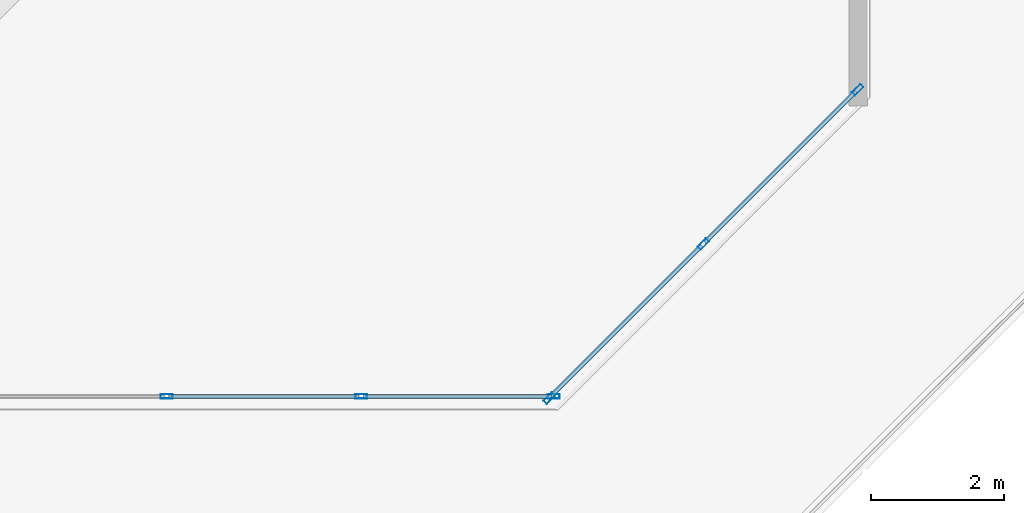
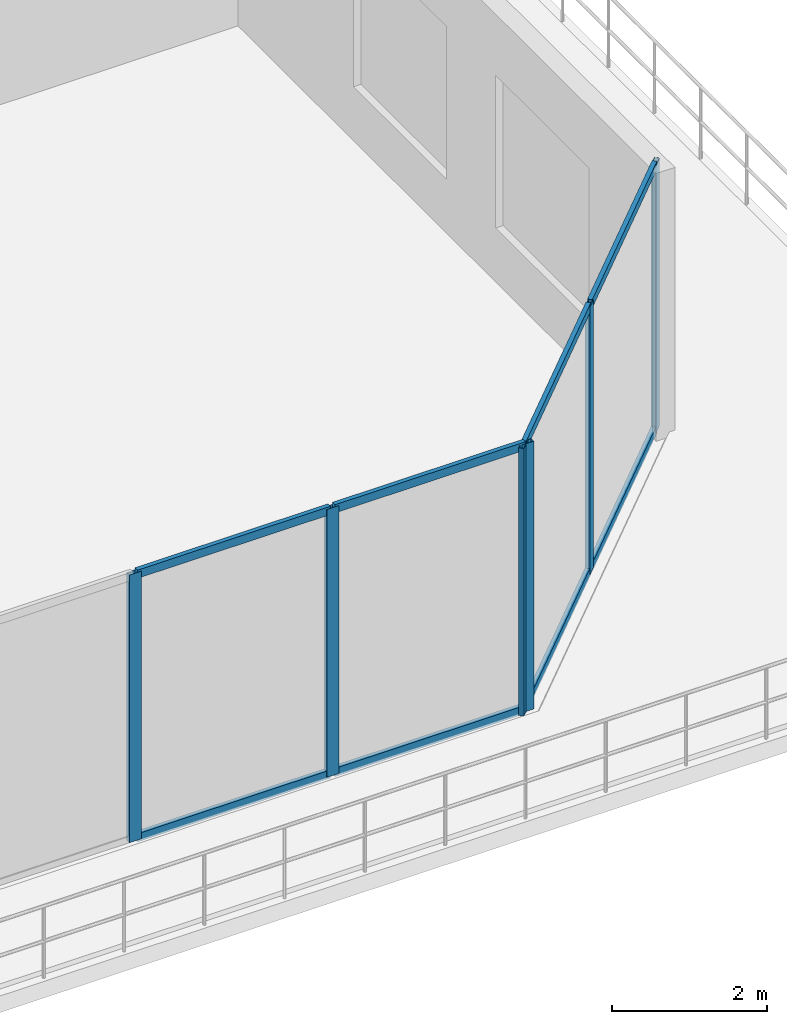
# One storey, part 20 of 31: 14 members, 2 elements without a shape of their own.
"""IFC4 building model written with IfcOpenShell, lengths in metres."""

from ifc_helpers import new_model, si_unit, direction, frame, origin, origin_2d, place, context, subcontext, project, spatial, hollow_rectangle, extrude, material, layer, layer_set, material_profile, profile_set, type_object, element, aggregate, save


model = new_model("IFC4")

# Units and contexts
model_context = context("Model", 3, precision=1e-05, world=origin(), true_north=direction((0.0, 1.0)))
body_context = subcontext(model_context, "Body", "Model", "MODEL_VIEW")
ifc_project = project(units=[si_unit("LENGTHUNIT", "METRE"), si_unit("AREAUNIT", "SQUARE_METRE"), si_unit("VOLUMEUNIT", "CUBIC_METRE"), si_unit("PLANEANGLEUNIT", "RADIAN"), si_unit("MASSUNIT", "GRAM", prefix="KILO")], contexts=[model_context])

# Site, building, storey
site_placement = place(None, origin())
site = spatial("IfcSite", under=ifc_project, at=site_placement, CompositionType="ELEMENT")
building_placement = place(site_placement, origin())
building = spatial("IfcBuilding", under=site, at=building_placement, Name="Caelvoria Tower", CompositionType="ELEMENT")
storey_placement = place(building_placement, frame((0.0, 0.0, 9.5)))
storey = spatial("IfcBuildingStorey", under=building, at=storey_placement, Name="L02", CompositionType="ELEMENT", Elevation=9.5)

# Curtain wall, members
ifc_material_1 = material(Name="Anodised Bronze Aluminium and Low-E Glass", Category="aluminium")
ifc_layer = layer(ifc_material_1, 0.199951171875, Name="Anodised Bronze Aluminium and Low-E Glass")
ifc_layer_set = layer_set([ifc_layer], Name="CW System 1 Podium Arcade Unitised Glazing - Anodised Bronze Aluminium and Low-E Glass")
curtain_wall_type = type_object("IfcCurtainWallType", Name="CW System 1 Podium Arcade Unitised Glazing", PredefinedType="NOTDEFINED", material=ifc_layer_set)
curtain_wall_1_placement = place(storey_placement, origin())
curtain_wall_1 = element("IfcCurtainWall", 1, at=curtain_wall_1_placement, inside=storey, type_object=curtain_wall_type, Name="CW-01 Curtain Wall L02-E0", PredefinedType="NOTDEFINED")
ifc_material_2 = material(Name="Anodised Bronze Architectural Aluminium", Category="aluminium")
ifc_material_profile_1 = material_profile(ifc_material_2, hollow_rectangle(XDim=0.070068359375, YDim=0.179931640625, WallThickness=0.00390625, at=origin_2d()), Name="Anodised Bronze Architectural Aluminium")
ifc_profile_set_1 = profile_set([ifc_material_profile_1], Name="CW_MULL_70X180 - Anodised Bronze Architectural Aluminium")
member_type_1 = type_object("IfcMemberType", Name="Curtain Wall Mullion 70x180 Bronze Aluminium", PredefinedType="MULLION", material=ifc_profile_set_1)
member_1_placement = place(storey_placement, frame((72.42724609375, 6.3798828125, 0.0), z_axis=(0.0, 0.0, 1.0), x_axis=(0.0, 1.0, 0.0)))
member_1 = element("IfcMember", 2, at=member_1_placement, type_object=member_type_1, Name="CW-01 mullion 21", PredefinedType="MULLION", context=body_context, shape_type="SweptSolid", body=[
    extrude(hollow_rectangle(XDim=0.070068359375, YDim=0.179931640625, WallThickness=0.00390625, at=origin_2d()), origin(), (0.0, 0.0, 1.0), 4.2099609375),
])
member_2_placement = place(storey_placement, frame((75.363525390625, 6.3798828125, 0.0), z_axis=(0.0, 0.0, 1.0), x_axis=(0.0, 1.0, 0.0)))
member_2 = element("IfcMember", 3, at=member_2_placement, type_object=member_type_1, Name="CW-01 mullion 22", PredefinedType="MULLION", context=body_context, shape_type="SweptSolid", body=[
    extrude(hollow_rectangle(XDim=0.070068359375, YDim=0.179931640625, WallThickness=0.00390625, at=origin_2d()), origin(), (0.0, 0.0, 1.0), 4.2099609375),
])
member_3_placement = place(storey_placement, frame((78.264892578125, 6.3798828125, 0.0), z_axis=(0.0, 0.0, 1.0), x_axis=(0.0, 1.0, 0.0)))
member_3 = element("IfcMember", 4, at=member_3_placement, type_object=member_type_1, Name="CW-01 mullion 23", PredefinedType="MULLION", context=body_context, shape_type="SweptSolid", body=[
    extrude(hollow_rectangle(XDim=0.070068359375, YDim=0.179931640625, WallThickness=0.00390625, at=origin_2d()), origin(), (0.0, 0.0, 1.0), 4.2099609375),
])

curtain_wall_2_placement = place(storey_placement, origin())
curtain_wall_2 = element("IfcCurtainWall", 5, at=curtain_wall_2_placement, inside=storey, type_object=curtain_wall_type, Name="CW-01 Curtain Wall L02-E1", PredefinedType="NOTDEFINED")
member_4_placement = place(storey_placement, frame((78.197509765625, 6.35205078125, 0.0), z_axis=(0.0, 0.0, 1.0), x_axis=(-0.707106781187, 0.707106781187, 0.0)))
member_4 = element("IfcMember", 6, at=member_4_placement, type_object=member_type_1, Name="CW-01 mullion 1", PredefinedType="MULLION", context=body_context, shape_type="SweptSolid", body=[
    extrude(hollow_rectangle(XDim=0.070068359375, YDim=0.179931640625, WallThickness=0.00390625, at=origin_2d()), origin(), (0.0, 0.0, 1.0), 4.2099609375),
])
member_5_placement = place(storey_placement, frame((80.522705078125, 8.67724609375, 0.0), z_axis=(0.0, 0.0, 1.0), x_axis=(-0.707106781187, 0.707106781187, 0.0)))
member_5 = element("IfcMember", 7, at=member_5_placement, type_object=member_type_1, Name="CW-01 mullion 2", PredefinedType="MULLION", context=body_context, shape_type="SweptSolid", body=[
    extrude(hollow_rectangle(XDim=0.070068359375, YDim=0.179931640625, WallThickness=0.00390625, at=origin_2d()), origin(), (0.0, 0.0, 1.0), 4.2099609375),
])
member_6_placement = place(storey_placement, frame((82.847900390625, 11.00244140625, 0.0), z_axis=(0.0, 0.0, 1.0), x_axis=(-0.707106781187, 0.707106781187, 0.0)))
member_6 = element("IfcMember", 8, at=member_6_placement, type_object=member_type_1, Name="CW-01 mullion 3", PredefinedType="MULLION", context=body_context, shape_type="SweptSolid", body=[
    extrude(hollow_rectangle(XDim=0.070068359375, YDim=0.179931640625, WallThickness=0.00390625, at=origin_2d()), origin(), (0.0, 0.0, 1.0), 4.2099609375),
])

# Member
ifc_material_profile_2 = material_profile(ifc_material_2, hollow_rectangle(XDim=0.06494140625, YDim=0.1298828125, WallThickness=0.00341796875, at=origin_2d()), Name="Anodised Bronze Architectural Aluminium")
ifc_profile_set_2 = profile_set([ifc_material_profile_2], Name="CW_TRAN_65X130 - Anodised Bronze Architectural Aluminium")
member_type_2 = type_object("IfcMemberType", Name="Curtain Wall Transom 65x130 Bronze Aluminium", PredefinedType="USERDEFINED", material=ifc_profile_set_2)
member_7_placement = place(storey_placement, frame((72.462158203125, 6.3798828125, 0.032470703125), z_axis=(1.0, 0.0, 0.0), x_axis=(0.0, 1.0, 0.0)))
member_7 = element("IfcMember", 9, at=member_7_placement, type_object=member_type_2, Name="CW-01 transom 21.1", ObjectType="TRANSOM", PredefinedType="USERDEFINED", context=body_context, shape_type="SweptSolid", body=[
    extrude(hollow_rectangle(XDim=0.06494140625, YDim=0.1298828125, WallThickness=0.00341796875, at=origin_2d()), origin(), (0.0, 0.0, 1.0), 2.866455078125),
])

member_8_placement = place(storey_placement, frame((72.462158203125, 6.3798828125, 4.177490234375), z_axis=(1.0, 0.0, 0.0), x_axis=(0.0, 1.0, 0.0)))
member_8 = element("IfcMember", 10, at=member_8_placement, type_object=member_type_2, Name="CW-01 transom 21.2", ObjectType="TRANSOM", PredefinedType="USERDEFINED", context=body_context, shape_type="SweptSolid", body=[
    extrude(hollow_rectangle(XDim=0.06494140625, YDim=0.1298828125, WallThickness=0.00341796875, at=origin_2d()), origin(), (0.0, 0.0, 1.0), 2.866455078125),
])

member_9_placement = place(storey_placement, frame((75.398681640625, 6.3798828125, 0.032470703125), z_axis=(1.0, 0.0, 0.0), x_axis=(0.0, 1.0, 0.0)))
member_9 = element("IfcMember", 11, at=member_9_placement, type_object=member_type_2, Name="CW-01 transom 22.1", ObjectType="TRANSOM", PredefinedType="USERDEFINED", context=body_context, shape_type="SweptSolid", body=[
    extrude(hollow_rectangle(XDim=0.06494140625, YDim=0.1298828125, WallThickness=0.00341796875, at=origin_2d()), origin(), (0.0, 0.0, 1.0), 2.831298828125),
])

member_10_placement = place(storey_placement, frame((75.398681640625, 6.3798828125, 4.177490234375), z_axis=(1.0, 0.0, 0.0), x_axis=(0.0, 1.0, 0.0)))
member_10 = element("IfcMember", 12, at=member_10_placement, type_object=member_type_2, Name="CW-01 transom 22.2", ObjectType="TRANSOM", PredefinedType="USERDEFINED", context=body_context, shape_type="SweptSolid", body=[
    extrude(hollow_rectangle(XDim=0.06494140625, YDim=0.1298828125, WallThickness=0.00341796875, at=origin_2d()), origin(), (0.0, 0.0, 1.0), 2.831298828125),
])

aggregate(curtain_wall_1, [member_1, member_2, member_3, member_7, member_8, member_9, member_10])

member_11_placement = place(storey_placement, frame((78.22216796875, 6.376708984375, 0.032470703125), z_axis=(0.707106781187, 0.707106781187, 0.0), x_axis=(-0.707106781187, 0.707106781187, 0.0)))
member_11 = element("IfcMember", 13, at=member_11_placement, type_object=member_type_2, Name="CW-01 transom 1.1", ObjectType="TRANSOM", PredefinedType="USERDEFINED", context=body_context, shape_type="SweptSolid", body=[
    extrude(hollow_rectangle(XDim=0.06494140625, YDim=0.1298828125, WallThickness=0.00341796875, at=origin_2d()), origin(), (0.0, 0.0, 1.0), 3.218505859375),
])

member_12_placement = place(storey_placement, frame((78.22216796875, 6.376708984375, 4.177490234375), z_axis=(0.707106781187, 0.707106781187, 0.0), x_axis=(-0.707106781187, 0.707106781187, 0.0)))
member_12 = element("IfcMember", 14, at=member_12_placement, type_object=member_type_2, Name="CW-01 transom 1.2", ObjectType="TRANSOM", PredefinedType="USERDEFINED", context=body_context, shape_type="SweptSolid", body=[
    extrude(hollow_rectangle(XDim=0.06494140625, YDim=0.1298828125, WallThickness=0.00341796875, at=origin_2d()), origin(), (0.0, 0.0, 1.0), 3.218505859375),
])

member_13_placement = place(storey_placement, frame((80.54736328125, 8.7021484375, 0.032470703125), z_axis=(0.707144708978, 0.707068851361, 0.0), x_axis=(-0.707068851361, 0.707144708978, 0.0)))
member_13 = element("IfcMember", 15, at=member_13_placement, type_object=member_type_2, Name="CW-01 transom 2.1", ObjectType="TRANSOM", PredefinedType="USERDEFINED", context=body_context, shape_type="SweptSolid", body=[
    extrude(hollow_rectangle(XDim=0.06494140625, YDim=0.1298828125, WallThickness=0.00341796875, at=origin_2d()), origin(), (0.0, 0.0, 1.0), 3.218505859375),
])

member_14_placement = place(storey_placement, frame((80.54736328125, 8.7021484375, 4.177490234375), z_axis=(0.707144708978, 0.707068851361, 0.0), x_axis=(-0.707068851361, 0.707144708978, 0.0)))
member_14 = element("IfcMember", 16, at=member_14_placement, type_object=member_type_2, Name="CW-01 transom 2.2", ObjectType="TRANSOM", PredefinedType="USERDEFINED", context=body_context, shape_type="SweptSolid", body=[
    extrude(hollow_rectangle(XDim=0.06494140625, YDim=0.1298828125, WallThickness=0.00341796875, at=origin_2d()), origin(), (0.0, 0.0, 1.0), 3.218505859375),
])

aggregate(curtain_wall_2, [member_4, member_5, member_6, member_11, member_12, member_13, member_14])

save(model, "model.ifc")
